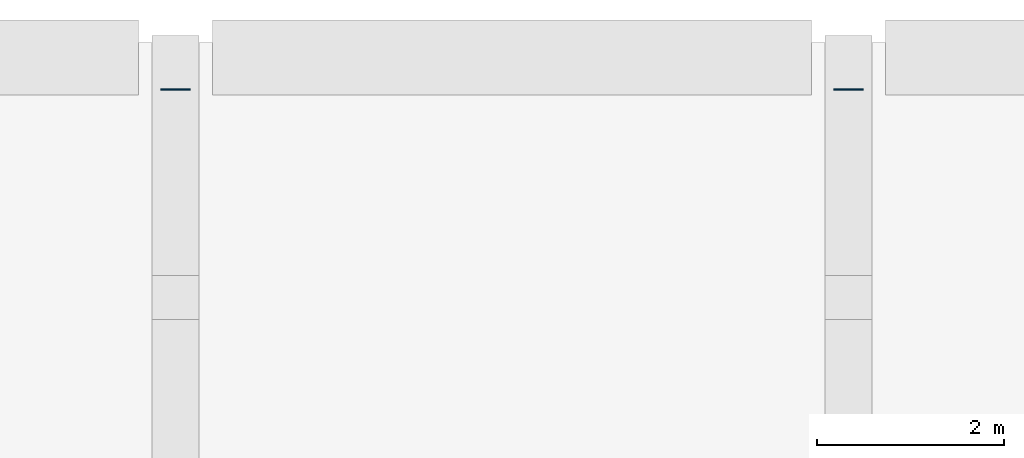
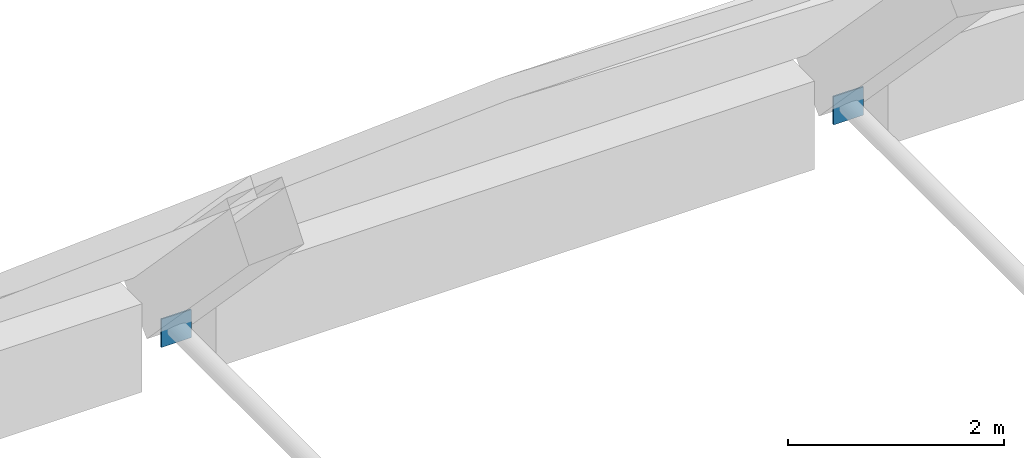
# One storey, part 10 of 16: 2 plates.
"""IFC4 building model written with IfcOpenShell, lengths in metres."""

from ifc_helpers import new_model, si_unit, direction, frame, origin, origin_2d, place, context, subcontext, project, spatial, rectangle, extrude, material, layer, layer_set, type_object, element, save


model = new_model("IFC4")

# Units and contexts
model_context = context("Model", 3, precision=1e-05, world=origin(), true_north=direction((0.0, 1.0)))
body_context = subcontext(model_context, "Body", "Model", "MODEL_VIEW")
ifc_project = project(units=[si_unit("LENGTHUNIT", "METRE"), si_unit("AREAUNIT", "SQUARE_METRE"), si_unit("VOLUMEUNIT", "CUBIC_METRE"), si_unit("PLANEANGLEUNIT", "RADIAN"), si_unit("MASSUNIT", "GRAM", prefix="KILO")], contexts=[model_context])

# Site, building, storey
site_placement = place(None, origin())
site = spatial("IfcSite", under=ifc_project, at=site_placement, CompositionType="ELEMENT")
building_placement = place(site_placement, origin())
building = spatial("IfcBuilding", under=site, at=building_placement, Name="Sardonyx Promenade Sports Hall", CompositionType="ELEMENT")
storey_placement = place(building_placement, frame((0.0, 0.0, 24.800048828125)))
storey = spatial("IfcBuildingStorey", under=building, at=storey_placement, Name="RF", CompositionType="ELEMENT", Elevation=24.800048828125)

# Plates
ifc_material = material(Name="Steel S355JR", Category="steel")
ifc_layer = layer(ifc_material, 0.01611328125)
ifc_layer_set = layer_set([ifc_layer], Name="Plt_EndCap_EC2")
plate_type = type_object("IfcPlateType", Name="Plt_EndCap_EC2", PredefinedType="USERDEFINED", material=ifc_layer_set)
for number, where, z_axis, x_axis, name in (
    (1, (57.60009765625, 104.05810546875, -4.60986328125), (0.0, 0.0, 1.0), (1.0, 0.0, 0.0), "Tie-rod end-cap plate V1 9 N"),
    (2, (64.800048828125, 104.05810546875, -4.60986328125), (0.0, 0.0, 1.0), (1.0, 0.0, 0.0), "Tie-rod end-cap plate V1 10 N"),
):
    element("IfcPlate", number, at=place(storey_placement, frame(where, z_axis=z_axis, x_axis=x_axis)), inside=storey, type_object=plate_type, Name=name, ObjectType="END CAP PLATE", PredefinedType="USERDEFINED", context=body_context, shape_type="SweptSolid", body=[
        extrude(rectangle(XDim=0.320068359375, YDim=0.01611328125, at=origin_2d()), origin(), (0.0, 0.0, 1.0), 0.320068359375),
    ])

save(model, "model.ifc")
